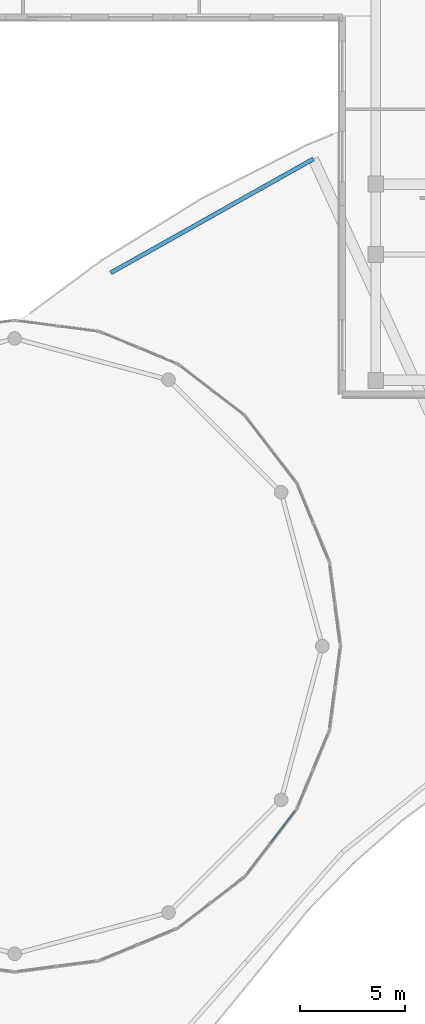
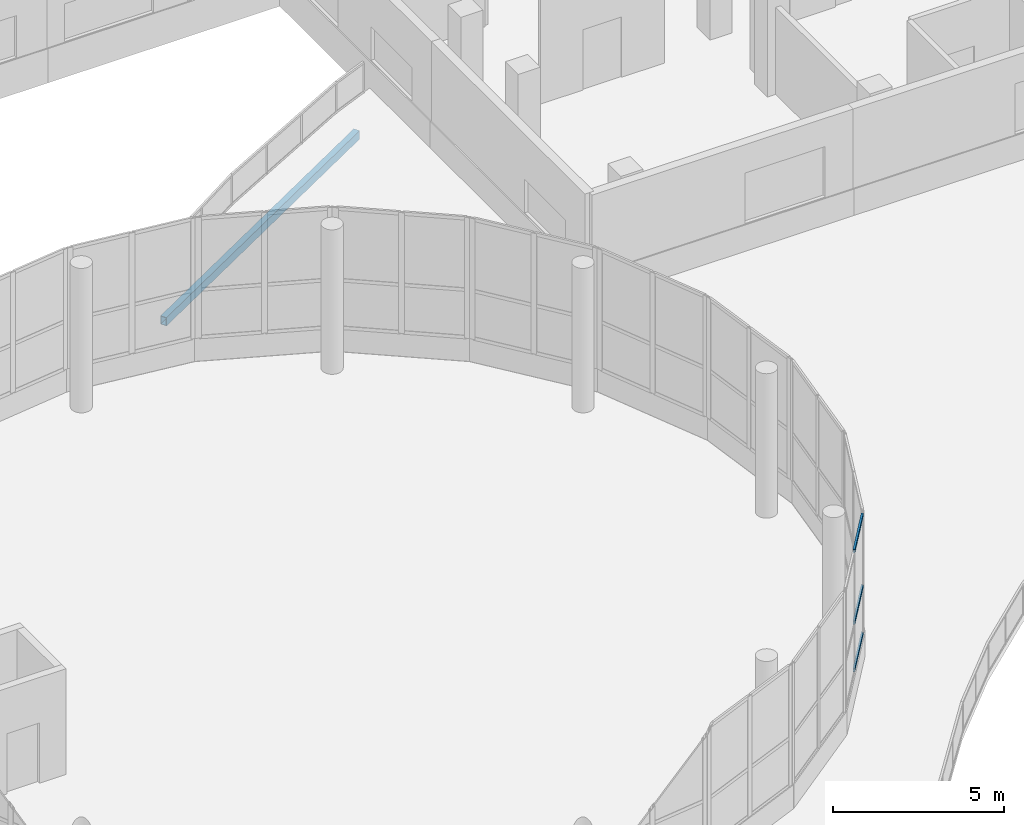
# One storey, part 14 of 101: 3 members, 1 beam, 1 element without a shape of its own.
"""IFC4 building model written with IfcOpenShell, lengths in metres."""

from ifc_helpers import new_model, si_unit, direction, frame, origin, origin_2d, place, context, subcontext, project, spatial, hollow_rectangle, extrude, material, material_profile, profile_set, type_object, element, aggregate, save


model = new_model("IFC4")

# Units and contexts
model_context = context("Model", 3, precision=1e-05, world=origin(), true_north=direction((0.0, 1.0)))
body_context = subcontext(model_context, "Body", "Model", "MODEL_VIEW")
ifc_project = project(units=[si_unit("LENGTHUNIT", "METRE"), si_unit("AREAUNIT", "SQUARE_METRE"), si_unit("VOLUMEUNIT", "CUBIC_METRE"), si_unit("PLANEANGLEUNIT", "RADIAN"), si_unit("MASSUNIT", "GRAM", prefix="KILO")], contexts=[model_context])

# Site, building, storey
site_placement = place(None, origin())
site = spatial("IfcSite", under=ifc_project, at=site_placement, CompositionType="ELEMENT")
building_placement = place(site_placement, origin())
building = spatial("IfcBuilding", under=site, at=building_placement, Name="Selatvlak General Hospital", CompositionType="ELEMENT")
storey_placement = place(building_placement, frame((0.0, 0.0, 19.199951171875)))
storey = spatial("IfcBuildingStorey", under=building, at=storey_placement, Name="L04", CompositionType="ELEMENT", Elevation=19.199951171875)

# Beam
ifc_material_1 = material(Name="Steel S355", Category="steel")
ifc_material_profile_1 = material_profile(ifc_material_1, hollow_rectangle(XDim=0.199951171875, YDim=0.300048828125, WallThickness=0.011962890625, at=origin_2d()), Name="RHS 300x200x12")
ifc_profile_set_1 = profile_set([ifc_material_profile_1], Name="Steel S355")
beam_type = type_object("IfcBeamType", Name="BM-SP3", PredefinedType="SPANDREL", material=ifc_profile_set_1)
beam_placement = place(storey_placement, frame((102.572998046875, 71.77001953125, -0.43994140625), z_axis=(0.871670941026, 0.490091594063, 0.0), x_axis=(-0.490091594063, 0.871670941026, 0.0)))
element("IfcBeam", 1, at=beam_placement, inside=storey, type_object=beam_type, Name="Beam BMR-L04-1830", PredefinedType="SPANDREL", context=body_context, shape_type="SweptSolid", body=[
    extrude(hollow_rectangle(XDim=0.199951171875, YDim=0.300048828125, WallThickness=0.011962890625, at=origin_2d()), origin(), (0.0, 0.0, 1.0), 11.069580078125),
])

# Curtain wall, members
ifc_material_2 = material(Name="Solar-control Low-E double glazing", Category="glass")
curtain_wall_type = type_object("IfcCurtainWallType", Name="CW-CW-04", PredefinedType="USERDEFINED", material=ifc_material_2)
curtain_wall_placement = place(storey_placement, origin())
curtain_wall = element("IfcCurtainWall", 2, at=curtain_wall_placement, inside=storey, type_object=curtain_wall_type, Name="Glazed facade curtain wall CW-L04-0521", ObjectType="STICK GLAZING WALL", PredefinedType="USERDEFINED")
ifc_material_3 = material(Name="Dark anodised aluminium mullion", Category="aluminium")
ifc_material_profile_2 = material_profile(ifc_material_3, hollow_rectangle(XDim=0.06494140625, YDim=0.1201171875, WallThickness=0.00390625, at=origin_2d()), Name="AL-TRN 65x120x4")
ifc_profile_set_2 = profile_set([ifc_material_profile_2], Name="Dark anodised aluminium mullion")
member_type = type_object("IfcMemberType", Name="CWT-01", PredefinedType="USERDEFINED", material=ifc_profile_set_2)
member_1_placement = place(storey_placement, frame((111.345458984375, 46.1474609375, 0.882568359375), z_axis=(-0.608953326487, -0.793206055297, 0.0), x_axis=(0.793206055297, -0.608953326487, 0.0)))
member_1 = element("IfcMember", 3, at=member_1_placement, type_object=member_type, Name="CW-04 transom 1.1", ObjectType="TRANSOM", PredefinedType="USERDEFINED", context=body_context, shape_type="SweptSolid", body=[
    extrude(hollow_rectangle(XDim=0.06494140625, YDim=0.1201171875, WallThickness=0.00390625, at=origin_2d()), origin(), (0.0, 0.0, 1.0), 1.885498046875),
])
member_2_placement = place(storey_placement, frame((111.345458984375, 46.1474609375, 2.574951171875), z_axis=(-0.608953326487, -0.793206055297, 0.0), x_axis=(0.793206055297, -0.608953326487, 0.0)))
member_2 = element("IfcMember", 4, at=member_2_placement, type_object=member_type, Name="CW-04 transom 1.2", ObjectType="TRANSOM", PredefinedType="USERDEFINED", context=body_context, shape_type="SweptSolid", body=[
    extrude(hollow_rectangle(XDim=0.06494140625, YDim=0.1201171875, WallThickness=0.00390625, at=origin_2d()), origin(), (0.0, 0.0, 1.0), 1.885498046875),
])
member_3_placement = place(storey_placement, frame((111.345458984375, 46.1474609375, 5.117431640625), z_axis=(-0.608953326487, -0.793206055297, 0.0), x_axis=(0.793206055297, -0.608953326487, 0.0)))
member_3 = element("IfcMember", 5, at=member_3_placement, type_object=member_type, Name="CW-04 transom 1.3", ObjectType="TRANSOM", PredefinedType="USERDEFINED", context=body_context, shape_type="SweptSolid", body=[
    extrude(hollow_rectangle(XDim=0.06494140625, YDim=0.1201171875, WallThickness=0.00390625, at=origin_2d()), origin(), (0.0, 0.0, 1.0), 1.885498046875),
])
aggregate(curtain_wall, [member_1, member_2, member_3])

save(model, "model.ifc")
